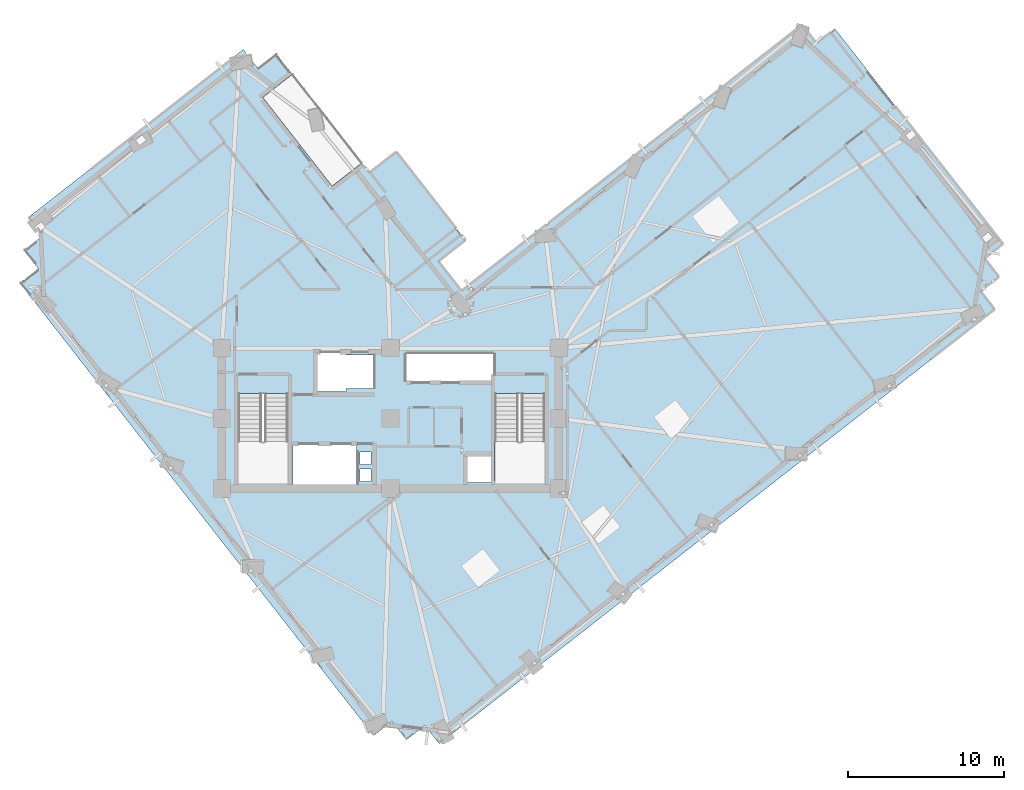
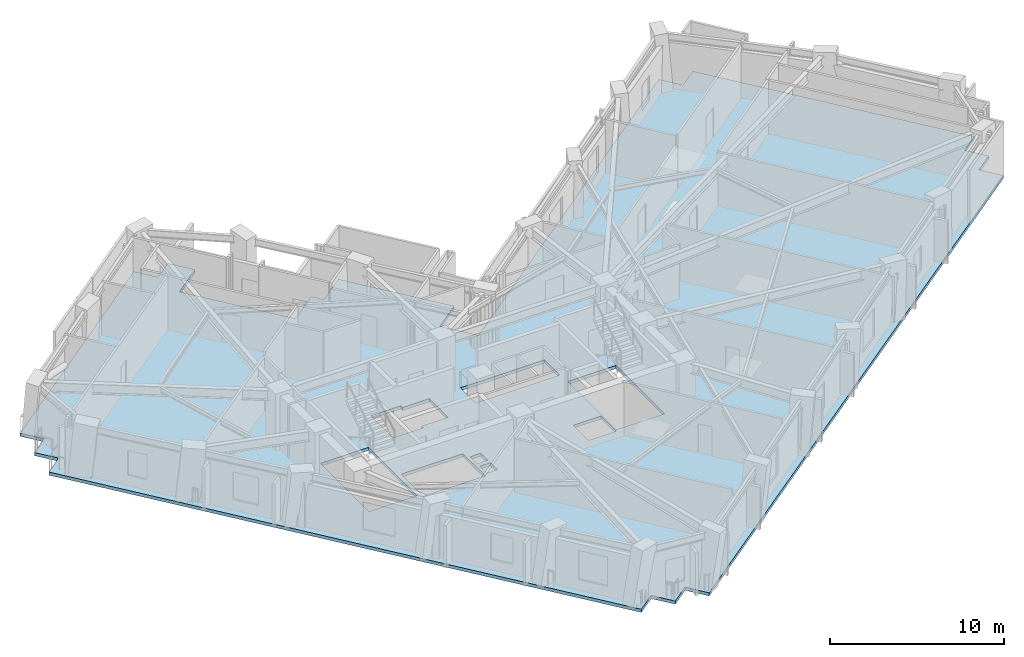
# One storey, part 3 of 14: 1 slab.
"""IFC4 building model written with IfcOpenShell, lengths in metres."""

from ifc_helpers import new_model, si_unit, direction, frame, origin, place, context, subcontext, project, spatial, polyline, outline, extrude, material, layer, layer_set, type_object, element, save


model = new_model("IFC4")

# Units and contexts
model_context = context("Model", 3, precision=1e-05, world=origin(), true_north=direction((0.0, 1.0)))
body_context = subcontext(model_context, "Body", "Model", "MODEL_VIEW")
ifc_project = project(units=[si_unit("LENGTHUNIT", "METRE"), si_unit("AREAUNIT", "SQUARE_METRE"), si_unit("VOLUMEUNIT", "CUBIC_METRE"), si_unit("PLANEANGLEUNIT", "RADIAN"), si_unit("MASSUNIT", "GRAM", prefix="KILO")], contexts=[model_context])

# Site, building, storey
site_placement = place(None, origin())
site = spatial("IfcSite", under=ifc_project, at=site_placement, CompositionType="ELEMENT")
building_placement = place(site_placement, origin())
building = spatial("IfcBuilding", under=site, at=building_placement, Name="Gaonmaruhae Medical Tower", CompositionType="ELEMENT")
storey_placement = place(building_placement, frame((0.0, 0.0, 185.800048828125)))
storey = spatial("IfcBuildingStorey", under=building, at=storey_placement, Name="L44", CompositionType="ELEMENT", Elevation=185.800048828125)

# Slab
ifc_material = material(Name="Concrete C40/50", Category="concrete")
ifc_layer = layer(ifc_material, 0.219970703125)
ifc_layer_set = layer_set([ifc_layer], Name="Concrete C40/50")
slab_type = type_object("IfcSlabType", Name="FS-220 Clinical Ward Composite Floor Slab", PredefinedType="FLOOR", material=ifc_layer_set)
slab_placement = place(storey_placement, frame((0.0, 0.0, -0.219970703125)))
element("IfcSlab", 1, at=slab_placement, inside=storey, type_object=slab_type, Name="L44 Structural Slab 1", PredefinedType="FLOOR", context=body_context, shape_type="SweptSolid", body=[
    extrude(outline(polyline([(51.1923828125, 37.529296875), (52.115966796875, 36.347412109375), (53.2978515625, 37.27099609375), (64.072021484375, 23.480712890625), (62.889892578125, 22.55712890625), (63.8134765625, 21.375244140625), (62.63134765625, 20.45166015625), (63.554931640625, 19.269775390625), (27.936767578125, -8.55810546875), (27.01318359375, -7.376220703125), (25.831298828125, -8.2998046875), (24.90771484375, -7.11767578125), (23.725830078125, -8.041015625), (1.069580078125, 20.957763671875), (2.25146484375, 21.881103515625), (1.327880859375, 23.063232421875), (2.510009765625, 23.98681640625), (1.58642578125, 25.168701171875), (15.376708984375, 35.94287109375), (16.30029296875, 34.7607421875), (17.482177734375, 35.68408203125), (18.52880859375, 34.344482421875), (16.6376953125, 32.866943359375), (21.0703125, 27.193359375), (22.961669921875, 28.6708984375), (23.4541015625, 28.04052734375), (25.187744140625, 29.39501953125), (29.62060546875, 23.72119140625), (27.886962890625, 22.36669921875), (29.364501953125, 20.4755859375), (51.1923828125, 37.529296875)]), holes=[polyline([(23.550048828125, 8.25), (22.85009765625, 8.25), (22.85009765625, 9.050048828125), (23.550048828125, 9.050048828125), (23.550048828125, 8.25)]), polyline([(31.425048828125, 9.925048828125), (31.425048828125, 8.175048828125), (29.574951171875, 8.175048828125), (29.574951171875, 9.925048828125), (31.425048828125, 9.925048828125)]), polyline([(22.64990234375, 10.625), (22.64990234375, 8.074951171875), (18.550048828125, 8.074951171875), (18.550048828125, 10.625), (22.64990234375, 10.625)]), polyline([(23.550048828125, 9.35009765625), (22.85009765625, 9.35009765625), (22.85009765625, 10.14990234375), (23.550048828125, 10.14990234375), (23.550048828125, 9.35009765625)]), polyline([(15.050048828125, 13.889892578125), (18.25, 13.889892578125), (18.25, 8.300048828125), (15.050048828125, 8.300048828125), (15.050048828125, 13.889892578125)]), polyline([(31.5, 13.889892578125), (34.699951171875, 13.889892578125), (34.699951171875, 8.300048828125), (31.5, 8.300048828125), (31.5, 13.889892578125)]), polyline([(21.949951171875, 14.22509765625), (21.949951171875, 14.02490234375), (19.949951171875, 14.02490234375), (19.949951171875, 16.574951171875), (21.949951171875, 16.574951171875), (21.949951171875, 16.375), (23.72509765625, 16.375), (23.72509765625, 14.22509765625), (21.949951171875, 14.22509765625)]), polyline([(31.425048828125, 16.425048828125), (31.425048828125, 14.675048828125), (25.824951171875, 14.675048828125), (25.824951171875, 16.425048828125), (31.425048828125, 16.425048828125)])]), origin(), (0.0, 0.0, 1.0), 0.219970703125),
])

save(model, "model.ifc")
